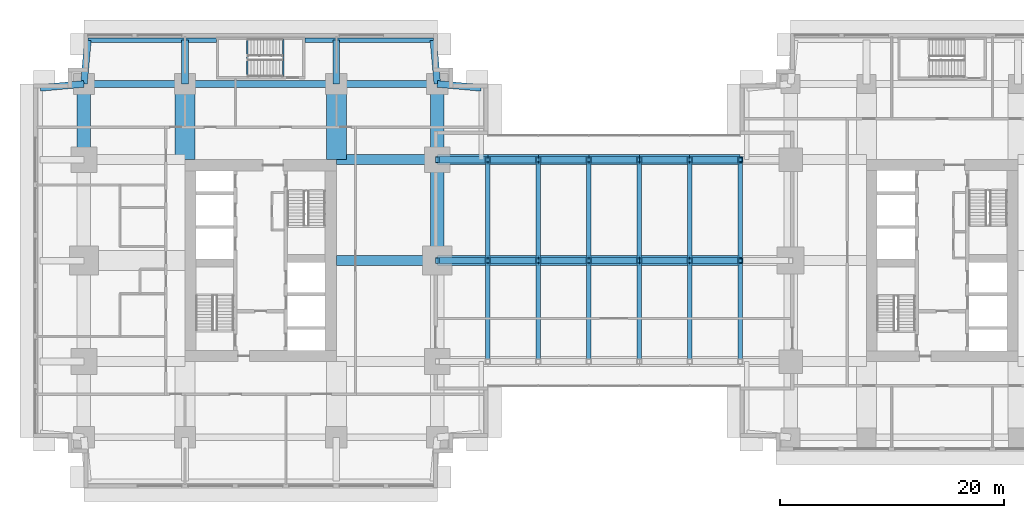
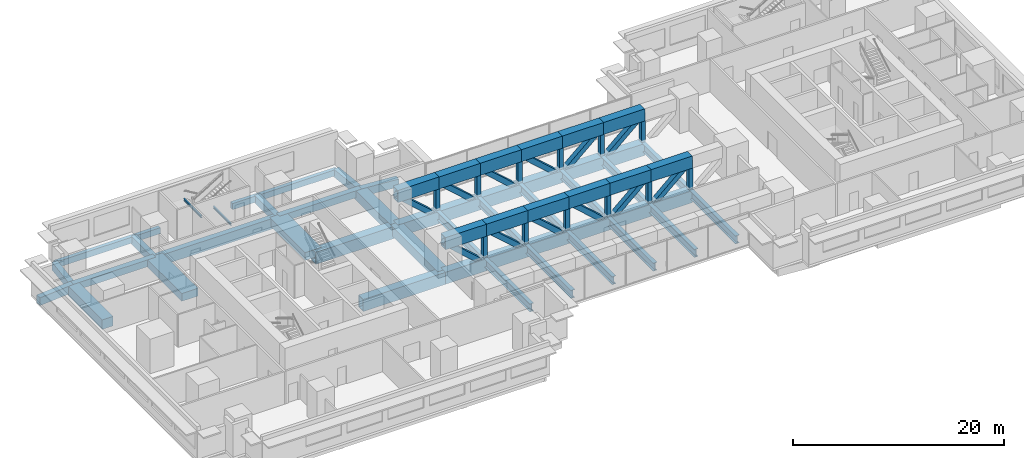
# One storey, part 3 of 15: 50 members, 30 beams.
"""IFC4 building model written with IfcOpenShell, lengths in metres."""

import ifcopenshell
import ifcopenshell.guid

model = None  # the IFC model being written
_history = None  # IfcOwnerHistory: only IFC2X3 demands one
_inside = {}  # id of a spatial element -> (the spatial element, [elements in it])
_under = {}  # id of a project, library or spatial element -> (it, [spatial elements below it])
_declared = {}  # id of a project -> (the project, [libraries it declares])
_typed = {}  # id of a type object -> (the type object, [elements of that type])
_made_of = {}  # id of a material, layer set ... -> (it, [elements and type objects made of it])


def new_model(schema):
    """Start an empty IFC model of exactly this schema.

    Asked for "IFC4X3", IfcOpenShell would pick the latest addendum, in which some entities
    have other attributes; the version numbers below select the first issue.
    IFC2X3 requires an IfcOwnerHistory on every rooted entity: one is made here for all.
    """
    global model, _history
    if schema == "IFC4X3":
        model = ifcopenshell.file(schema_version=(4, 3, 0, 0))
    else:
        model = ifcopenshell.file(schema=schema)
    _inside.clear()
    _under.clear()
    _declared.clear()
    _typed.clear()
    _made_of.clear()
    _history = None
    if model.schema == "IFC2X3":
        org = make("IfcOrganization", Name="unknown")
        user = make(
            "IfcPersonAndOrganization",
            ThePerson=make("IfcPerson", FamilyName="unknown"),
            TheOrganization=org,
        )
        app = make(
            "IfcApplication",
            ApplicationDeveloper=org,
            Version="unknown",
            ApplicationFullName="unknown",
            ApplicationIdentifier="unknown",
        )
        _history = make(
            "IfcOwnerHistory",
            OwningUser=user,
            OwningApplication=app,
            ChangeAction="ADDED",
            CreationDate=0,
        )
    return model


def make(cls, **values):
    """One entity of the class cls with the attributes given. An attribute that is None is left unset."""
    return model.create_entity(
        cls, **{name: value for name, value in values.items() if value is not None}
    )


def rooted(cls, **values):
    """An entity with a GlobalId (a new one), such as an element, a storey or a relation."""
    return make(cls, GlobalId=ifcopenshell.guid.new(), OwnerHistory=_history, **values)


def si_unit(unit_type, name, prefix=None):
    """IfcSIUnit, for example si_unit("LENGTHUNIT", "METRE", prefix="MILLI")."""
    return make("IfcSIUnit", UnitType=unit_type, Prefix=prefix, Name=name)


def assignment(units):
    """IfcUnitAssignment: the units of a project."""
    return None if units is None else make("IfcUnitAssignment", Units=units)


def point(xyz):
    """IfcCartesianPoint."""
    return None if xyz is None else make("IfcCartesianPoint", Coordinates=xyz)


def direction(xyz):
    """IfcDirection."""
    return None if xyz is None else make("IfcDirection", DirectionRatios=xyz)


def frame(location, z_axis=None, x_axis=None):
    """IfcAxis2Placement3D, a coordinate frame: its origin and axes. An axis left out is left unset."""
    return make(
        "IfcAxis2Placement3D",
        Location=point(location),
        Axis=direction(z_axis),
        RefDirection=direction(x_axis),
    )


def frame_2d(location, x_axis=None):
    """IfcAxis2Placement2D, a coordinate frame in the plane: its origin and x axis."""
    return make(
        "IfcAxis2Placement2D", Location=point(location), RefDirection=direction(x_axis)
    )


def origin():
    """The frame at (0, 0, 0) with its axes left unset."""
    return frame((0.0, 0.0, 0.0))


def origin_2d():
    """The frame at (0, 0) in the plane with its x axis left unset."""
    return frame_2d((0.0, 0.0))


def place(relative_to, where):
    """IfcLocalPlacement: puts the frame where relative to a parent placement (None: the world)."""
    return make(
        "IfcLocalPlacement", PlacementRelTo=relative_to, RelativePlacement=where
    )


def context(
    kind, dimensions, precision=None, world=None, true_north=None, identifier=None
):
    """IfcGeometricRepresentationContext, for example the 3D "Model" context."""
    return make(
        "IfcGeometricRepresentationContext",
        ContextIdentifier=identifier,
        ContextType=kind,
        CoordinateSpaceDimension=dimensions,
        Precision=precision,
        WorldCoordinateSystem=world,
        TrueNorth=true_north,
    )


def subcontext(parent, identifier, kind, view, scale=None):
    """IfcGeometricRepresentationSubContext, for example "Body" below "Model"."""
    return make(
        "IfcGeometricRepresentationSubContext",
        ContextIdentifier=identifier,
        ContextType=kind,
        ParentContext=parent,
        TargetScale=scale,
        TargetView=view,
    )


def project(units=None, contexts=None):
    """IfcProject with its units and contexts."""
    return rooted(
        "IfcProject",
        Name="project",
        RepresentationContexts=contexts,
        UnitsInContext=assignment(units),
    )


def spatial(cls, under=None, at=None, **own):
    """A site, building, storey or space (cls), placed at a placement, below another one or the project."""
    s = rooted(cls, ObjectPlacement=at, **own)
    if under is not None:
        _under.setdefault(under.id(), (under, []))[1].append(s)
    return s


def profile(cls, at=None, kind="AREA", **sizes):
    """A parametric profile (cls). Its sizes go by their IFC names, for example OverallWidth=200.0."""
    return make(cls, ProfileType=kind, Position=at, **sizes)


def rectangle(**sizes):
    """IfcRectangleProfileDef."""
    return profile("IfcRectangleProfileDef", **sizes)


def hollow_rectangle(**sizes):
    """IfcRectangleHollowProfileDef."""
    return profile("IfcRectangleHollowProfileDef", **sizes)


def i_section(**sizes):
    """IfcIShapeProfileDef."""
    return profile("IfcIShapeProfileDef", **sizes)


def extrude(swept, where, along, depth):
    """IfcExtrudedAreaSolid: the profile swept, set in the frame where, extruded along a direction by depth."""
    return make(
        "IfcExtrudedAreaSolid",
        SweptArea=swept,
        Position=where,
        ExtrudedDirection=direction(along),
        Depth=depth,
    )


def shape(context_of_items, identifier, shape_type, items):
    """IfcShapeRepresentation: the items that make up one representation, for example the "Body"."""
    return make(
        "IfcShapeRepresentation",
        ContextOfItems=context_of_items,
        RepresentationIdentifier=identifier,
        RepresentationType=shape_type,
        Items=items,
    )


def material(Name=None, Category=None):
    """IfcMaterial."""
    return make("IfcMaterial", Name=Name, Category=Category)


def material_profile(
    of_material, cross_section, Name=None, Category=None, Priority=None
):
    """IfcMaterialProfile: a cross section and its material."""
    return make(
        "IfcMaterialProfile",
        Name=Name,
        Material=of_material,
        Profile=cross_section,
        Priority=Priority,
        Category=Category,
    )


def profile_set(profiles, Name=None, composite=None):
    """IfcMaterialProfileSet."""
    return make(
        "IfcMaterialProfileSet",
        Name=Name,
        MaterialProfiles=profiles,
        CompositeProfile=composite,
    )


def made_of(thing, what):
    """Note that an element or type object is made of a material, layer set ...; save() writes the relation."""
    if what is not None:
        _made_of.setdefault(what.id(), (what, []))[1].append(thing)
    return thing


def type_object(cls, material=None, **own):
    """A type object (cls), such as IfcWallType, which elements share."""
    return made_of(rooted(cls, **own), material)


def element(
    cls,
    number,
    at=None,
    inside=None,
    cuts=None,
    type_object=None,
    material=None,
    context=None,
    identifier="Body",
    shape_type=None,
    held_by="IfcProductDefinitionShape",
    body=None,
    shapes=None,
    **own,
):
    """One element of the class cls, such as IfcWall. Its Tag is "e" and its number.

    at: its placement. inside: the storey or other place that contains it. cuts: it is an
    opening in that element (IfcRelVoidsElement). A single representation is given by context,
    identifier, shape_type and body (its items); several are given by shapes. held_by: the class
    of the entity that holds the representations. save() writes the other relations.
    """
    e = rooted(cls, Tag="e%d" % number, ObjectPlacement=at, **own)
    if body is not None:
        shapes = [shape(context, identifier, shape_type, body)]
    if shapes is not None:
        e.Representation = make(held_by, Representations=shapes)
    if inside is not None:
        _inside.setdefault(inside.id(), (inside, []))[1].append(e)
    if cuts is not None:
        rooted(
            "IfcRelVoidsElement", RelatingBuildingElement=cuts, RelatedOpeningElement=e
        )
    if type_object is not None:
        _typed.setdefault(type_object.id(), (type_object, []))[1].append(e)
    return made_of(e, material)


def aggregate(whole, parts):
    """IfcRelAggregates: a whole, such as a stair, and the parts it consists of."""
    return rooted("IfcRelAggregates", RelatingObject=whole, RelatedObjects=parts)


def save(model, path):
    """Write the relations noted so far, then the file.

    IfcRelAggregates (storeys below a building ...), IfcRelContainedInSpatialStructure (elements
    in a storey), IfcRelDefinesByType, IfcRelAssociatesMaterial and IfcRelDeclares: one each for
    every whole, place, type object, material and project.
    """
    for whole, parts in _under.values():
        aggregate(whole, parts)
    for where, things in _inside.values():
        rooted(
            "IfcRelContainedInSpatialStructure",
            RelatedElements=things,
            RelatingStructure=where,
        )
    for kind, things in _typed.values():
        rooted("IfcRelDefinesByType", RelatedObjects=things, RelatingType=kind)
    for what, things in _made_of.values():
        rooted("IfcRelAssociatesMaterial", RelatedObjects=things, RelatingMaterial=what)
    for by, libraries in _declared.values():
        rooted("IfcRelDeclares", RelatingContext=by, RelatedDefinitions=libraries)
    model.write(path)


model = new_model("IFC4")

# Units and contexts
model_context = context("Model", 3, precision=1e-05, world=origin(), true_north=direction((0.0, 1.0)))
body_context = subcontext(model_context, "Body", "Model", "MODEL_VIEW")
ifc_project = project(units=[si_unit("LENGTHUNIT", "METRE"), si_unit("AREAUNIT", "SQUARE_METRE"), si_unit("VOLUMEUNIT", "CUBIC_METRE"), si_unit("PLANEANGLEUNIT", "RADIAN"), si_unit("MASSUNIT", "GRAM", prefix="KILO")], contexts=[model_context])

# Site, building, storey
site_placement = place(None, origin())
site = spatial("IfcSite", under=ifc_project, at=site_placement, CompositionType="ELEMENT")
building_placement = place(site_placement, origin())
building = spatial("IfcBuilding", under=site, at=building_placement, Name="Namib Vertical Campus", CompositionType="ELEMENT")
storey_placement = place(building_placement, frame((0.0, 0.0, 105.0)))
storey = spatial("IfcBuildingStorey", under=building, at=storey_placement, Name="L24", CompositionType="ELEMENT", Elevation=105.0)

# Beams
ifc_material_1 = material(Name="Steel S355JR", Category="steel")
ifc_material_profile_1 = material_profile(ifc_material_1, i_section(OverallWidth=0.42041015625, OverallDepth=0.92041015625, WebThickness=0.021484375, FlangeThickness=0.03662109375, FilletRadius=0.024169921875, at=origin_2d()))
ifc_profile_set_1 = profile_set([ifc_material_profile_1], Name="Steel S355JR")
beam_type_1 = type_object("IfcBeamType", Name="Bridge floor beam UB 914x419x388", PredefinedType="BEAM", material=ifc_profile_set_1)
for number, where, z_axis, x_axis, name in (
    (1, (40.5, 11.25, -0.710205078125), (0.0, 1.0, 0.0), (-1.0, 0.0, 0.0), "Bridge beam BB1 L24"),
    (2, (40.5, 20.25, -0.710205078125), (0.0, 1.0, 0.0), (-1.0, 0.0, 0.0), "Bridge beam BB1 L24"),
    (3, (45.0, 11.25, -0.710205078125), (0.0, 1.0, 0.0), (-1.0, 0.0, 0.0), "Bridge beam BB1 L24"),
    (4, (45.0, 20.25, -0.710205078125), (0.0, 1.0, 0.0), (-1.0, 0.0, 0.0), "Bridge beam BB1 L24"),
    (5, (49.5, 11.25, -0.710205078125), (0.0, 1.0, 0.0), (-1.0, 0.0, 0.0), "Bridge beam BB1 L24"),
    (6, (49.5, 20.25, -0.710205078125), (0.0, 1.0, 0.0), (-1.0, 0.0, 0.0), "Bridge beam BB1 L24"),
    (7, (54.0, 11.25, -0.710205078125), (0.0, 1.0, 0.0), (-1.0, 0.0, 0.0), "Bridge beam BB1 L24"),
    (8, (54.0, 20.25, -0.710205078125), (0.0, 1.0, 0.0), (-1.0, 0.0, 0.0), "Bridge beam BB1 L24"),
    (9, (58.5, 11.25, -0.710205078125), (0.0, 1.0, 0.0), (-1.0, 0.0, 0.0), "Bridge beam BB1 L24"),
    (10, (58.5, 20.25, -0.710205078125), (0.0, 1.0, 0.0), (-1.0, 0.0, 0.0), "Bridge beam BB1 L24"),
    (11, (63.0, 11.25, -0.710205078125), (0.0, 1.0, 0.0), (-1.0, 0.0, 0.0), "Bridge beam BB1 L24"),
    (12, (63.0, 20.25, -0.710205078125), (0.0, 1.0, 0.0), (-1.0, 0.0, 0.0), "Bridge beam BB1 L24"),
):
    element("IfcBeam", number, at=place(storey_placement, frame(where, z_axis=z_axis, x_axis=x_axis)), inside=storey, type_object=beam_type_1, Name=name, PredefinedType="BEAM", context=body_context, shape_type="SweptSolid", body=[
        extrude(i_section(OverallWidth=0.42041015625, OverallDepth=0.92041015625, WebThickness=0.021484375, FlangeThickness=0.03662109375, FilletRadius=0.024169921875, at=origin_2d()), origin(), (0.0, 0.0, 1.0), 9.0),
    ])
ifc_material_2 = material(Name="Concrete C40/50", Category="concrete")
ifc_material_profile_2 = material_profile(ifc_material_2, rectangle(XDim=0.60009765625, YDim=0.89990234375, at=origin_2d()))
ifc_profile_set_2 = profile_set([ifc_material_profile_2], Name="Concrete C40/50")
beam_type_2 = type_object("IfcBeamType", Name="Cantilever girder RC 600x900", PredefinedType="BEAM", material=ifc_profile_set_2)
beam_1_placement = place(storey_placement, frame((4.5, 36.0, -0.699951171875), z_axis=(0.089411326146, 0.995994786511, 0.0), x_axis=(-0.995994786511, 0.089411326146, 0.0)))
element("IfcBeam", 13, at=beam_1_placement, inside=storey, type_object=beam_type_2, Name="Beam B3 L24", PredefinedType="BEAM", context=body_context, shape_type="SweptSolid", body=[
    extrude(rectangle(XDim=0.60009765625, YDim=0.89990234375, at=origin_2d()), origin(), (0.0, 0.0, 1.0), 3.91552734375),
])
for number, where, z_axis, x_axis, name in (
    (14, (13.5, 36.0, -0.699951171875), (0.0, 1.0, 0.0), (-1.0, 0.0, 0.0), "Beam B3 L24"),
    (15, (27.0, 36.0, -0.699951171875), (0.0, 1.0, 0.0), (-1.0, 0.0, 0.0), "Beam B3 L24"),
):
    element("IfcBeam", number, at=place(storey_placement, frame(where, z_axis=z_axis, x_axis=x_axis)), inside=storey, type_object=beam_type_2, Name=name, PredefinedType="BEAM", context=body_context, shape_type="SweptSolid", body=[
        extrude(rectangle(XDim=0.60009765625, YDim=0.89990234375, at=origin_2d()), origin(), (0.0, 0.0, 1.0), 3.89990234375),
    ])
for number, where, z_axis, x_axis, name in (
    (16, (36.0, 36.0, -0.699951171875), (-0.089411326146, 0.995994786511, 0.0), (-0.995994786511, -0.089411326146, 0.0), "Beam B3 L24"),
    (17, (4.5, 36.0, -0.699951171875), (-0.995994786511, -0.089411326146, 0.0), (0.089411326146, -0.995994786511, 0.0), "Beam B3 L24"),
    (18, (36.0, 36.0, -0.699951171875), (0.995994786511, -0.089411326146, 0.0), (0.089411326146, 0.995994786511, 0.0), "Beam B3 L24"),
):
    element("IfcBeam", number, at=place(storey_placement, frame(where, z_axis=z_axis, x_axis=x_axis)), inside=storey, type_object=beam_type_2, Name=name, PredefinedType="BEAM", context=body_context, shape_type="SweptSolid", body=[
        extrude(rectangle(XDim=0.60009765625, YDim=0.89990234375, at=origin_2d()), origin(), (0.0, 0.0, 1.0), 3.91552734375),
    ])
ifc_material_3 = material(Name="Concrete C40/50", Category="concrete")
ifc_material_profile_3 = material_profile(ifc_material_3, rectangle(XDim=0.39990234375, YDim=0.699951171875, at=origin_2d()))
ifc_profile_set_3 = profile_set([ifc_material_profile_3], Name="Concrete C40/50")
beam_type_3 = type_object("IfcBeamType", Name="Edge beam RC 400x700", PredefinedType="SPANDREL", material=ifc_profile_set_3)
for number, where, z_axis, x_axis, name in (
    (19, (4.85009765625, 39.89990234375, -0.60009765625), (1.0, 0.0, 0.0), (0.0, 1.0, 0.0), "Beam B4 L24"),
    (20, (24.199951171875, 39.89990234375, -0.60009765625), (1.0, 0.0, 0.0), (0.0, 1.0, 0.0), "Beam B4 L24"),
):
    element("IfcBeam", number, at=place(storey_placement, frame(where, z_axis=z_axis, x_axis=x_axis)), inside=storey, type_object=beam_type_3, Name=name, PredefinedType="SPANDREL", context=body_context, shape_type="SweptSolid", body=[
        extrude(rectangle(XDim=0.39990234375, YDim=0.699951171875, at=origin_2d()), origin(), (0.0, 0.0, 1.0), 11.449951171875),
    ])
ifc_material_4 = material(Name="Concrete C40/50", Category="concrete")
ifc_material_profile_4 = material_profile(ifc_material_4, rectangle(XDim=1.199951171875, YDim=1.10009765625, at=origin_2d()))
ifc_profile_set_4 = profile_set([ifc_material_profile_4], Name="Concrete C40/50")
beam_type_4 = type_object("IfcBeamType", Name="Face ring beam RC 1200x1100", PredefinedType="BEAM", material=ifc_profile_set_4)
beam_2_placement = place(storey_placement, frame((4.5, 29.25, -0.800048828125), z_axis=(0.0, 1.0, 0.0), x_axis=(-1.0, 0.0, 0.0)))
element("IfcBeam", 21, at=beam_2_placement, inside=storey, type_object=beam_type_4, Name="Beam B11 L24", PredefinedType="BEAM", context=body_context, shape_type="SweptSolid", body=[
    extrude(rectangle(XDim=1.199951171875, YDim=1.10009765625, at=origin_2d()), origin(), (0.0, 0.0, 1.0), 6.75),
])
beam_3_placement = place(storey_placement, frame((36.0, 20.25, -0.800048828125), z_axis=(0.0, 1.0, 0.0), x_axis=(-1.0, 0.0, 0.0)))
element("IfcBeam", 22, at=beam_3_placement, inside=storey, type_object=beam_type_4, Name="Beam B11 L24", PredefinedType="BEAM", context=body_context, shape_type="SweptSolid", body=[
    extrude(rectangle(XDim=1.199951171875, YDim=1.10009765625, at=origin_2d()), origin(), (0.0, 0.0, 1.0), 9.0),
])
beam_4_placement = place(storey_placement, frame((36.0, 29.25, -0.800048828125), z_axis=(0.0, 1.0, 0.0), x_axis=(-1.0, 0.0, 0.0)))
element("IfcBeam", 23, at=beam_4_placement, inside=storey, type_object=beam_type_4, Name="Beam B11 L24", PredefinedType="BEAM", context=body_context, shape_type="SweptSolid", body=[
    extrude(rectangle(XDim=1.199951171875, YDim=1.10009765625, at=origin_2d()), origin(), (0.0, 0.0, 1.0), 6.75),
])
ifc_material_5 = material(Name="Steel S355JR", Category="steel")
ifc_material_profile_5 = material_profile(ifc_material_5, i_section(OverallWidth=0.14599609375, OverallDepth=0.25146484375, WebThickness=0.006103515625, FlangeThickness=0.008544921875, FilletRadius=0.007568359375, at=origin_2d()))
ifc_profile_set_5 = profile_set([ifc_material_profile_5], Name="Steel S355JR")
beam_type_5 = type_object("IfcBeamType", Name="Landing trimmer UB 254x146x31", PredefinedType="BEAM", material=ifc_profile_set_5)
for number, where, z_axis, x_axis, name in (
    (24, (22.27294921875, 36.64990234375, -0.125732421875), (0.0, 1.0, 0.0), (-1.0, 0.0, 0.0), "Landing trimmer LT1 A-S3 L24 1"),
    (25, (19.046875, 36.64990234375, 1.874267578125), (0.0, 1.0, 0.0), (-1.0, 0.0, 0.0), "Landing trimmer LT1 A-S3 L24 2"),
):
    element("IfcBeam", number, at=place(storey_placement, frame(where, z_axis=z_axis, x_axis=x_axis)), inside=storey, type_object=beam_type_5, Name=name, PredefinedType="BEAM", context=body_context, shape_type="SweptSolid", body=[
        extrude(i_section(OverallWidth=0.14599609375, OverallDepth=0.25146484375, WebThickness=0.006103515625, FlangeThickness=0.008544921875, FilletRadius=0.007568359375, at=origin_2d()), origin(), (0.0, 0.0, 1.0), 3.35009765625),
    ])
ifc_material_6 = material(Name="Concrete C40/50", Category="concrete")
ifc_material_profile_6 = material_profile(ifc_material_6, rectangle(XDim=0.60009765625, YDim=1.199951171875, at=origin_2d()))
ifc_profile_set_6 = profile_set([ifc_material_profile_6], Name="Concrete C40/50")
beam_type_6 = type_object("IfcBeamType", Name="Long-span ring beam RC 600x1200", PredefinedType="BEAM", material=ifc_profile_set_6)
beam_5_placement = place(storey_placement, frame((13.5, 36.0, -0.85009765625), z_axis=(1.0, 0.0, 0.0), x_axis=(0.0, 1.0, 0.0)))
element("IfcBeam", 26, at=beam_5_placement, inside=storey, type_object=beam_type_6, Name="Beam B9 L24", PredefinedType="BEAM", context=body_context, shape_type="SweptSolid", body=[
    extrude(rectangle(XDim=0.60009765625, YDim=1.199951171875, at=origin_2d()), origin(), (0.0, 0.0, 1.0), 13.5),
])
ifc_material_7 = material(Name="Concrete C40/50", Category="concrete")
ifc_material_profile_7 = material_profile(ifc_material_7, rectangle(XDim=1.800048828125, YDim=0.89990234375, at=origin_2d()))
ifc_profile_set_7 = profile_set([ifc_material_profile_7], Name="Concrete C40/50")
beam_type_7 = type_object("IfcBeamType", Name="Outrigger line girder RC 1800x900", PredefinedType="BEAM", material=ifc_profile_set_7)
for number, where, z_axis, x_axis, name in (
    (27, (13.5, 36.0, -0.699951171875), (0.0, -1.0, 0.0), (1.0, 0.0, 0.0), "Beam B12 L24"),
    (28, (27.0, 36.0, -0.699951171875), (0.0, -1.0, 0.0), (1.0, 0.0, 0.0), "Beam B12 L24"),
):
    element("IfcBeam", number, at=place(storey_placement, frame(where, z_axis=z_axis, x_axis=x_axis)), inside=storey, type_object=beam_type_7, Name=name, PredefinedType="BEAM", context=body_context, shape_type="SweptSolid", body=[
        extrude(rectangle(XDim=1.800048828125, YDim=0.89990234375, at=origin_2d()), origin(), (0.0, 0.0, 1.0), 6.75),
    ])
ifc_material_8 = material(Name="Concrete C40/50", Category="concrete")
ifc_material_profile_8 = material_profile(ifc_material_8, rectangle(XDim=0.60009765625, YDim=0.800048828125, at=origin_2d()))
ifc_profile_set_8 = profile_set([ifc_material_profile_8], Name="Concrete C40/50")
beam_type_8 = type_object("IfcBeamType", Name="Ring beam RC 600x800", PredefinedType="BEAM", material=ifc_profile_set_8)
for number, where, z_axis, x_axis, name in (
    (29, (4.5, 36.0, -0.64990234375), (1.0, 0.0, 0.0), (0.0, 1.0, 0.0), "Beam B1 L24"),
    (30, (27.0, 36.0, -0.64990234375), (1.0, 0.0, 0.0), (0.0, 1.0, 0.0), "Beam B1 L24"),
):
    element("IfcBeam", number, at=place(storey_placement, frame(where, z_axis=z_axis, x_axis=x_axis)), inside=storey, type_object=beam_type_8, Name=name, PredefinedType="BEAM", context=body_context, shape_type="SweptSolid", body=[
        extrude(rectangle(XDim=0.60009765625, YDim=0.800048828125, at=origin_2d()), origin(), (0.0, 0.0, 1.0), 9.0),
    ])

# Members
ifc_material_9 = material(Name="Steel S355JR", Category="steel")
ifc_material_profile_9 = material_profile(ifc_material_9, hollow_rectangle(XDim=0.89990234375, YDim=1.39990234375, WallThickness=0.070068359375, at=origin_2d()))
ifc_profile_set_9 = profile_set([ifc_material_profile_9], Name="Steel S355JR")
member_type_1 = type_object("IfcMemberType", Name="Truss chord WB 1400x900x70", PredefinedType="CHORD", material=ifc_profile_set_9)
for number, where, z_axis, x_axis, name in (
    (31, (36.0, 20.25, -0.949951171875), (-1.0, 0.0, 0.0), (0.0, -1.0, 0.0), "Transfer truss T2 anchor chord A bottom"),
    (32, (36.0, 29.25, -0.949951171875), (-1.0, 0.0, 0.0), (0.0, -1.0, 0.0), "Transfer truss T3 anchor chord A bottom"),
):
    element("IfcMember", number, at=place(storey_placement, frame(where, z_axis=z_axis, x_axis=x_axis)), inside=storey, type_object=member_type_1, Name=name, PredefinedType="CHORD", context=body_context, shape_type="SweptSolid", body=[
        extrude(hollow_rectangle(XDim=0.89990234375, YDim=1.39990234375, WallThickness=0.070068359375, at=origin_2d()), origin(), (0.0, 0.0, 1.0), 9.0),
    ])
for number, where, z_axis, x_axis, name in (
    (33, (36.0, 20.25, -0.949951171875), (1.0, 0.0, 0.0), (0.0, 1.0, 0.0), "Transfer truss T2 bottom chord 1"),
    (34, (36.0, 20.25, 3.050048828125), (1.0, 0.0, 0.0), (0.0, 1.0, 0.0), "Transfer truss T2 top chord 1"),
    (35, (40.5, 20.25, -0.949951171875), (1.0, 0.0, 0.0), (0.0, 1.0, 0.0), "Transfer truss T2 bottom chord 2"),
    (36, (40.5, 20.25, 3.050048828125), (1.0, 0.0, 0.0), (0.0, 1.0, 0.0), "Transfer truss T2 top chord 2"),
    (37, (45.0, 20.25, -0.949951171875), (1.0, 0.0, 0.0), (0.0, 1.0, 0.0), "Transfer truss T2 bottom chord 3"),
    (38, (45.0, 20.25, 3.050048828125), (1.0, 0.0, 0.0), (0.0, 1.0, 0.0), "Transfer truss T2 top chord 3"),
    (39, (49.5, 20.25, -0.949951171875), (1.0, 0.0, 0.0), (0.0, 1.0, 0.0), "Transfer truss T2 bottom chord 4"),
    (40, (49.5, 20.25, 3.050048828125), (1.0, 0.0, 0.0), (0.0, 1.0, 0.0), "Transfer truss T2 top chord 4"),
    (41, (54.0, 20.25, -0.949951171875), (1.0, 0.0, 0.0), (0.0, 1.0, 0.0), "Transfer truss T2 bottom chord 5"),
    (42, (54.0, 20.25, 3.050048828125), (1.0, 0.0, 0.0), (0.0, 1.0, 0.0), "Transfer truss T2 top chord 5"),
    (43, (58.5, 20.25, -0.949951171875), (1.0, 0.0, 0.0), (0.0, 1.0, 0.0), "Transfer truss T2 bottom chord 6"),
    (44, (58.5, 20.25, 3.050048828125), (1.0, 0.0, 0.0), (0.0, 1.0, 0.0), "Transfer truss T2 top chord 6"),
    (45, (36.0, 29.25, -0.949951171875), (1.0, 0.0, 0.0), (0.0, 1.0, 0.0), "Transfer truss T3 bottom chord 1"),
    (46, (36.0, 29.25, 3.050048828125), (1.0, 0.0, 0.0), (0.0, 1.0, 0.0), "Transfer truss T3 top chord 1"),
    (47, (40.5, 29.25, -0.949951171875), (1.0, 0.0, 0.0), (0.0, 1.0, 0.0), "Transfer truss T3 bottom chord 2"),
    (48, (40.5, 29.25, 3.050048828125), (1.0, 0.0, 0.0), (0.0, 1.0, 0.0), "Transfer truss T3 top chord 2"),
    (49, (45.0, 29.25, -0.949951171875), (1.0, 0.0, 0.0), (0.0, 1.0, 0.0), "Transfer truss T3 bottom chord 3"),
    (50, (45.0, 29.25, 3.050048828125), (1.0, 0.0, 0.0), (0.0, 1.0, 0.0), "Transfer truss T3 top chord 3"),
    (51, (49.5, 29.25, -0.949951171875), (1.0, 0.0, 0.0), (0.0, 1.0, 0.0), "Transfer truss T3 bottom chord 4"),
    (52, (49.5, 29.25, 3.050048828125), (1.0, 0.0, 0.0), (0.0, 1.0, 0.0), "Transfer truss T3 top chord 4"),
    (53, (54.0, 29.25, -0.949951171875), (1.0, 0.0, 0.0), (0.0, 1.0, 0.0), "Transfer truss T3 bottom chord 5"),
    (54, (54.0, 29.25, 3.050048828125), (1.0, 0.0, 0.0), (0.0, 1.0, 0.0), "Transfer truss T3 top chord 5"),
    (55, (58.5, 29.25, -0.949951171875), (1.0, 0.0, 0.0), (0.0, 1.0, 0.0), "Transfer truss T3 bottom chord 6"),
    (56, (58.5, 29.25, 3.050048828125), (1.0, 0.0, 0.0), (0.0, 1.0, 0.0), "Transfer truss T3 top chord 6"),
):
    element("IfcMember", number, at=place(storey_placement, frame(where, z_axis=z_axis, x_axis=x_axis)), inside=storey, type_object=member_type_1, Name=name, PredefinedType="CHORD", context=body_context, shape_type="SweptSolid", body=[
        extrude(hollow_rectangle(XDim=0.89990234375, YDim=1.39990234375, WallThickness=0.070068359375, at=origin_2d()), origin(), (0.0, 0.0, 1.0), 4.5),
    ])
ifc_material_10 = material(Name="Steel S355JR", Category="steel")
ifc_material_profile_10 = material_profile(ifc_material_10, hollow_rectangle(XDim=0.550048828125, YDim=0.550048828125, WallThickness=0.0400390625, at=origin_2d()))
ifc_profile_set_10 = profile_set([ifc_material_profile_10], Name="Steel S355JR")
member_type_2 = type_object("IfcMemberType", Name="Truss diagonal WB 550x550x40", PredefinedType="BRACE", material=ifc_profile_set_10)
for number, where, z_axis, x_axis, name in (
    (57, (36.0, 20.25, 3.050048828125), (0.747409318684, 0.0, -0.66436383883), (0.0, 1.0, 0.0), "Transfer truss T2 diagonal 1"),
    (58, (40.5, 20.25, 3.050048828125), (0.747409318684, 0.0, -0.66436383883), (0.0, 1.0, 0.0), "Transfer truss T2 diagonal 2"),
    (59, (45.0, 20.25, 3.050048828125), (0.747409318684, 0.0, -0.66436383883), (0.0, 1.0, 0.0), "Transfer truss T2 diagonal 3"),
    (60, (49.5, 20.25, 3.050048828125), (0.747409318684, 0.0, -0.66436383883), (0.0, 1.0, 0.0), "Transfer truss T2 diagonal 4"),
    (61, (58.5, 20.25, 3.050048828125), (-0.747409318684, 0.0, -0.66436383883), (0.0, -1.0, 0.0), "Transfer truss T2 diagonal 5"),
    (62, (63.0, 20.25, 3.050048828125), (-0.747409318684, 0.0, -0.66436383883), (0.0, -1.0, 0.0), "Transfer truss T2 diagonal 6"),
    (63, (36.0, 29.25, 3.050048828125), (0.747409318684, 0.0, -0.66436383883), (0.0, 1.0, 0.0), "Transfer truss T3 diagonal 1"),
    (64, (40.5, 29.25, 3.050048828125), (0.747409318684, 0.0, -0.66436383883), (0.0, 1.0, 0.0), "Transfer truss T3 diagonal 2"),
    (65, (45.0, 29.25, 3.050048828125), (0.747409318684, 0.0, -0.66436383883), (0.0, 1.0, 0.0), "Transfer truss T3 diagonal 3"),
    (66, (49.5, 29.25, 3.050048828125), (0.747409318684, 0.0, -0.66436383883), (0.0, 1.0, 0.0), "Transfer truss T3 diagonal 4"),
    (67, (58.5, 29.25, 3.050048828125), (-0.747409318684, 0.0, -0.66436383883), (0.0, -1.0, 0.0), "Transfer truss T3 diagonal 5"),
    (68, (63.0, 29.25, 3.050048828125), (-0.747409318684, 0.0, -0.66436383883), (0.0, -1.0, 0.0), "Transfer truss T3 diagonal 6"),
):
    element("IfcMember", number, at=place(storey_placement, frame(where, z_axis=z_axis, x_axis=x_axis)), inside=storey, type_object=member_type_2, Name=name, PredefinedType="BRACE", context=body_context, shape_type="SweptSolid", body=[
        extrude(hollow_rectangle(XDim=0.550048828125, YDim=0.550048828125, WallThickness=0.0400390625, at=origin_2d()), origin(), (0.0, 0.0, 1.0), 6.020751953125),
    ])
ifc_material_11 = material(Name="Steel S355JR", Category="steel")
ifc_material_profile_11 = material_profile(ifc_material_11, hollow_rectangle(XDim=0.449951171875, YDim=0.449951171875, WallThickness=0.034912109375, at=origin_2d()))
ifc_profile_set_11 = profile_set([ifc_material_profile_11], Name="Steel S355JR")
member_type_3 = type_object("IfcMemberType", Name="Truss post WB 450x450x35", PredefinedType="POST", material=ifc_profile_set_11)
for number, where, z_axis, x_axis, name in (
    (69, (40.5, 20.25, -0.949951171875), (0.0, 0.0, 1.0), (1.0, 0.0, 0.0), "Transfer truss T2 post 1"),
    (70, (45.0, 20.25, -0.949951171875), (0.0, 0.0, 1.0), (1.0, 0.0, 0.0), "Transfer truss T2 post 2"),
    (71, (49.5, 20.25, -0.949951171875), (0.0, 0.0, 1.0), (1.0, 0.0, 0.0), "Transfer truss T2 post 3"),
    (72, (54.0, 20.25, -0.949951171875), (0.0, 0.0, 1.0), (1.0, 0.0, 0.0), "Transfer truss T2 post 4"),
    (73, (58.5, 20.25, -0.949951171875), (0.0, 0.0, 1.0), (1.0, 0.0, 0.0), "Transfer truss T2 post 5"),
    (74, (63.0, 20.25, -0.949951171875), (0.0, 0.0, 1.0), (1.0, 0.0, 0.0), "Transfer truss T2 post 6"),
    (75, (40.5, 29.25, -0.949951171875), (0.0, 0.0, 1.0), (1.0, 0.0, 0.0), "Transfer truss T3 post 1"),
    (76, (45.0, 29.25, -0.949951171875), (0.0, 0.0, 1.0), (1.0, 0.0, 0.0), "Transfer truss T3 post 2"),
    (77, (49.5, 29.25, -0.949951171875), (0.0, 0.0, 1.0), (1.0, 0.0, 0.0), "Transfer truss T3 post 3"),
    (78, (54.0, 29.25, -0.949951171875), (0.0, 0.0, 1.0), (1.0, 0.0, 0.0), "Transfer truss T3 post 4"),
    (79, (58.5, 29.25, -0.949951171875), (0.0, 0.0, 1.0), (1.0, 0.0, 0.0), "Transfer truss T3 post 5"),
    (80, (63.0, 29.25, -0.949951171875), (0.0, 0.0, 1.0), (1.0, 0.0, 0.0), "Transfer truss T3 post 6"),
):
    element("IfcMember", number, at=place(storey_placement, frame(where, z_axis=z_axis, x_axis=x_axis)), inside=storey, type_object=member_type_3, Name=name, PredefinedType="POST", context=body_context, shape_type="SweptSolid", body=[
        extrude(hollow_rectangle(XDim=0.449951171875, YDim=0.449951171875, WallThickness=0.034912109375, at=origin_2d()), origin(), (0.0, 0.0, 1.0), 4.0),
    ])

save(model, "model.ifc")
